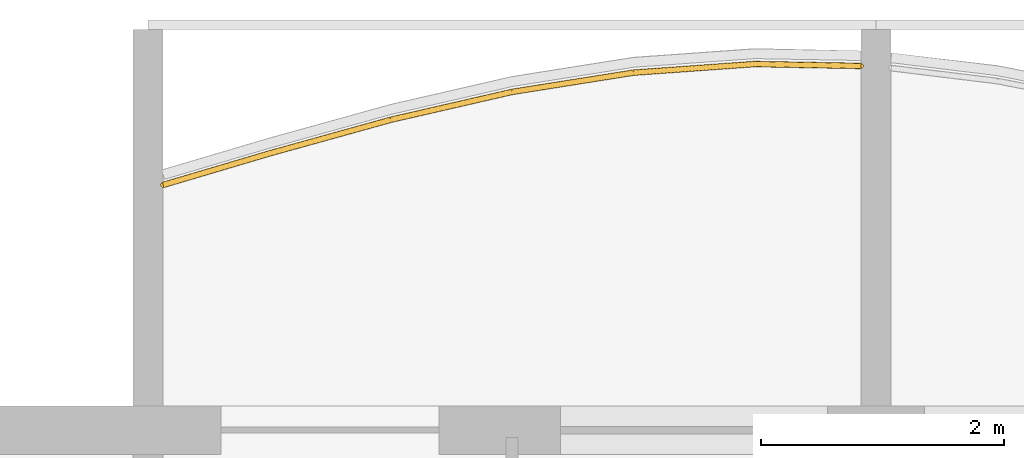
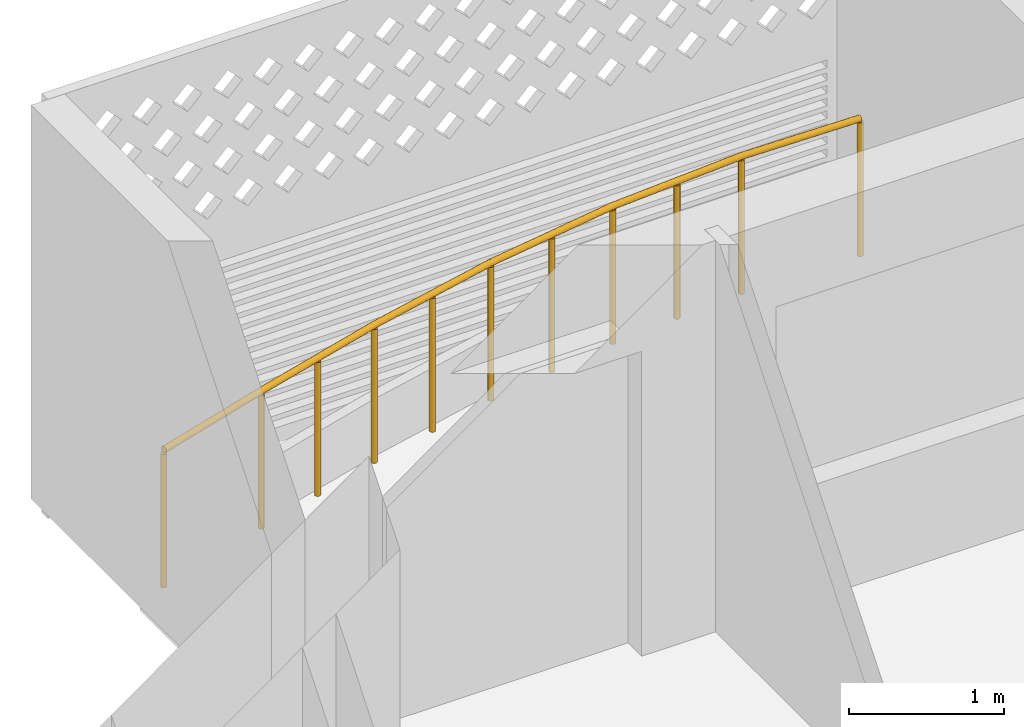
# One storey, part 15 of 28: 1 railing.
"""IFC4 building model written with IfcOpenShell, lengths in metres."""

from ifc_helpers import new_model, si_unit, direction, frame, origin, origin_2d, place, context, subcontext, project, spatial, circle, extrude, material, type_object, element, save


model = new_model("IFC4")

# Units and contexts
model_context = context("Model", 3, precision=1e-05, world=origin(), true_north=direction((0.0, 1.0)))
body_context = subcontext(model_context, "Body", "Model", "MODEL_VIEW")
ifc_project = project(units=[si_unit("LENGTHUNIT", "METRE"), si_unit("AREAUNIT", "SQUARE_METRE"), si_unit("VOLUMEUNIT", "CUBIC_METRE"), si_unit("PLANEANGLEUNIT", "RADIAN"), si_unit("MASSUNIT", "GRAM", prefix="KILO")], contexts=[model_context])

# Site, building, storey
site_placement = place(None, origin())
site = spatial("IfcSite", under=ifc_project, at=site_placement, CompositionType="ELEMENT")
building_placement = place(site_placement, origin())
building = spatial("IfcBuilding", under=site, at=building_placement, Name="Poui Terraces", CompositionType="ELEMENT")
storey_placement = place(building_placement, frame((0.0, 0.0, 181.800048828125)))
storey = spatial("IfcBuildingStorey", under=building, at=storey_placement, Name="L50", CompositionType="ELEMENT", Elevation=181.800048828125)

# Railing
ifc_material = material(Name="Painted steel fretwork", Category="steel")
railing_type = type_object("IfcRailingType", Name="BALCONY GUARD 1100", PredefinedType="GUARDRAIL", material=ifc_material)
railing_placement = place(storey_placement, frame((24.125, 43.220703125, 0.0)))
element("IfcRailing", 1, at=railing_placement, inside=storey, type_object=railing_type, Name="BALCONY GUARD", PredefinedType="GUARDRAIL", context=body_context, shape_type="SweptSolid", body=[
    extrude(circle(Radius=0.02392578125, at=origin_2d()), frame((0.0, 0.0, 1.076171875), z_axis=(0.9587927149, 0.284106546658, 0.0), x_axis=(-0.284106546658, 0.9587927149, 0.0)), (0.0, 0.0, 1.0), 0.91259765625),
    extrude(circle(Radius=0.02392578125, at=origin_2d()), frame((0.875, 0.25927734375, 1.076171875), z_axis=(0.963565078544, 0.267473997633, 0.0), x_axis=(-0.267473997633, 0.963565078544, 0.0)), (0.0, 0.0, 1.0), 1.037841796875),
    extrude(circle(Radius=0.02392578125, at=origin_2d()), frame((1.875, 0.536865234375, 1.076171875), z_axis=(0.974611291341, 0.223903619422, 0.0), x_axis=(-0.223903619422, 0.974611291341, 0.0)), (0.0, 0.0, 1.0), 1.026123046875),
    extrude(circle(Radius=0.02392578125, at=origin_2d()), frame((2.875, 0.7666015625, 1.076171875), z_axis=(0.987641453623, 0.156730211146, 0.0), x_axis=(-0.156730211146, 0.987641453623, 0.0)), (0.0, 0.0, 1.0), 1.012451171875),
    extrude(circle(Radius=0.02392578125, at=origin_2d()), frame((3.875, 0.92529296875, 1.076171875), z_axis=(0.997485823051, 0.07086630237, 0.0), x_axis=(-0.07086630237, 0.997485823051, 0.0)), (0.0, 0.0, 1.0), 1.00244140625),
    extrude(circle(Radius=0.02392578125, at=origin_2d()), frame((4.875, 0.996337890625, 1.076171875), z_axis=(0.999840599345, -0.017854296417, 0.0), x_axis=(0.017854296417, 0.999840599345, 0.0)), (0.0, 0.0, 1.0), 0.875244140625),
    extrude(circle(Radius=0.02099609375, at=origin_2d()), origin(), (0.0, 0.0, 1.0), 1.052001953125),
    extrude(circle(Radius=0.02099609375, at=origin_2d()), frame((0.875, 0.25927734375, 0.0)), (0.0, 0.0, 1.0), 1.052001953125),
    extrude(circle(Radius=0.02099609375, at=origin_2d()), frame((1.375, 0.39794921875, 0.0)), (0.0, 0.0, 1.0), 1.052001953125),
    extrude(circle(Radius=0.02099609375, at=origin_2d()), frame((1.875, 0.536865234375, 0.0)), (0.0, 0.0, 1.0), 1.052001953125),
    extrude(circle(Radius=0.02099609375, at=origin_2d()), frame((2.375, 0.65185546875, 0.0)), (0.0, 0.0, 1.0), 1.052001953125),
    extrude(circle(Radius=0.02099609375, at=origin_2d()), frame((2.875, 0.7666015625, 0.0)), (0.0, 0.0, 1.0), 1.052001953125),
    extrude(circle(Radius=0.02099609375, at=origin_2d()), frame((3.375, 0.845947265625, 0.0)), (0.0, 0.0, 1.0), 1.052001953125),
    extrude(circle(Radius=0.02099609375, at=origin_2d()), frame((3.875, 0.92529296875, 0.0)), (0.0, 0.0, 1.0), 1.052001953125),
    extrude(circle(Radius=0.02099609375, at=origin_2d()), frame((4.375, 0.9609375, 0.0)), (0.0, 0.0, 1.0), 1.052001953125),
    extrude(circle(Radius=0.02099609375, at=origin_2d()), frame((4.875, 0.996337890625, 0.0)), (0.0, 0.0, 1.0), 1.052001953125),
    extrude(circle(Radius=0.02099609375, at=origin_2d()), frame((5.75, 0.980712890625, 0.0)), (0.0, 0.0, 1.0), 1.052001953125),
])

save(model, "model.ifc")
